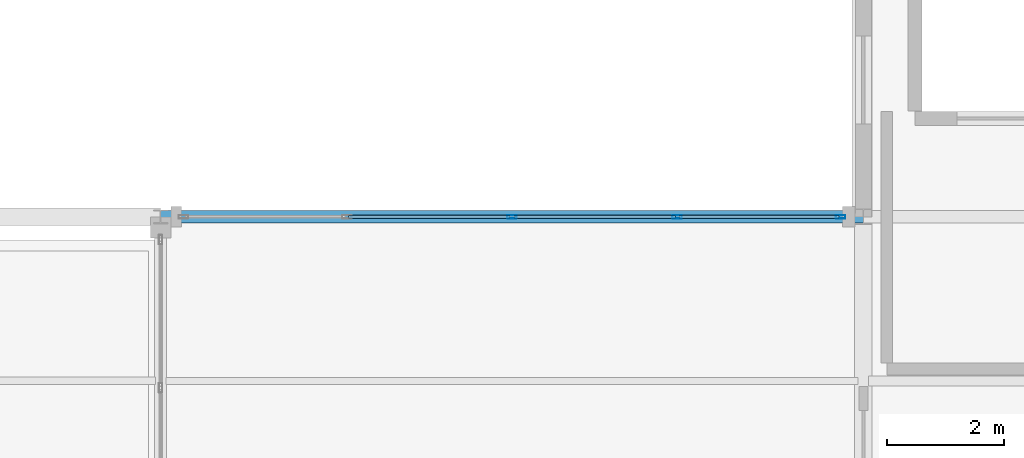
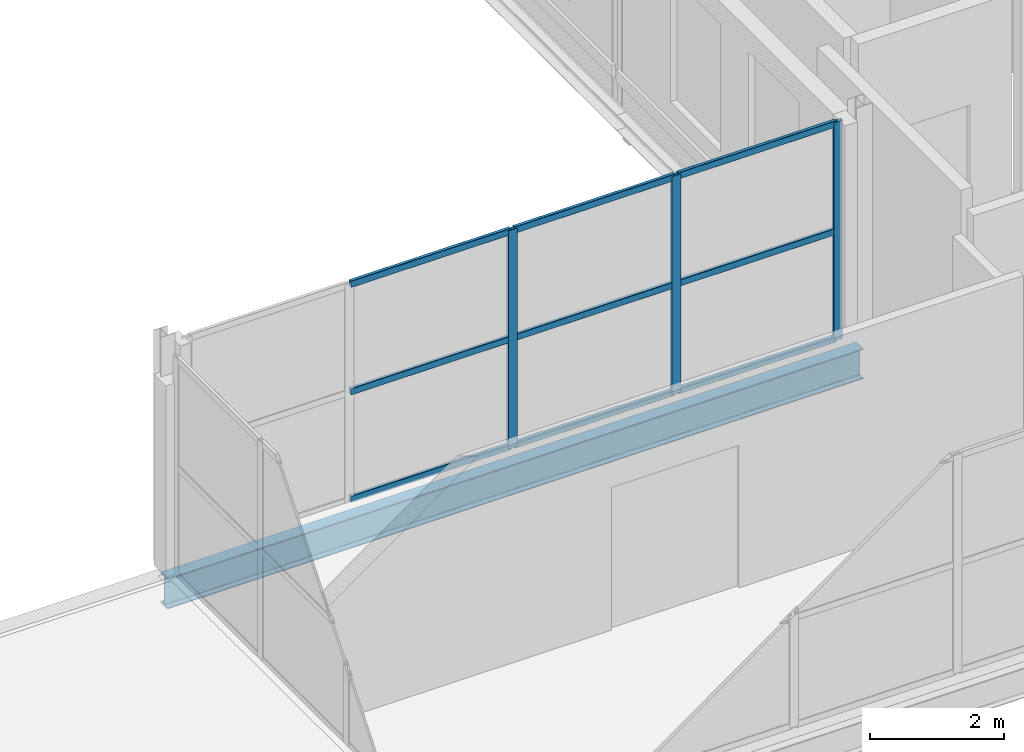
# One storey, part 69 of 93: 12 members, 1 beam, 1 element without a shape of its own.
"""IFC4 building model written with IfcOpenShell, lengths in metres."""

from ifc_helpers import new_model, si_unit, direction, frame, origin, origin_2d, place, context, subcontext, project, spatial, hollow_rectangle, i_section, extrude, material, layer, layer_set, material_profile, profile_set, type_object, element, aggregate, save


model = new_model("IFC4")

# Units and contexts
model_context = context("Model", 3, precision=1e-05, world=origin(), true_north=direction((0.0, 1.0)))
body_context = subcontext(model_context, "Body", "Model", "MODEL_VIEW")
ifc_project = project(units=[si_unit("LENGTHUNIT", "METRE"), si_unit("AREAUNIT", "SQUARE_METRE"), si_unit("VOLUMEUNIT", "CUBIC_METRE"), si_unit("PLANEANGLEUNIT", "RADIAN"), si_unit("MASSUNIT", "GRAM", prefix="KILO")], contexts=[model_context])

# Site, building, storey
site_placement = place(None, origin())
site = spatial("IfcSite", under=ifc_project, at=site_placement, CompositionType="ELEMENT")
building_placement = place(site_placement, origin())
building = spatial("IfcBuilding", under=site, at=building_placement, Name="Vekula Escarpment Museum", CompositionType="ELEMENT")
storey_placement = place(building_placement, frame((0.0, 0.0, 22.199951171875)))
storey = spatial("IfcBuildingStorey", under=building, at=storey_placement, Name="L05", CompositionType="ELEMENT", Elevation=22.199951171875)

# Beam
ifc_material_1 = material(Name="Steel S355", Category="steel")
ifc_material_profile_1 = material_profile(ifc_material_1, i_section(OverallWidth=0.2099609375, OverallDepth=0.550048828125, WebThickness=0.010986328125, FlangeThickness=0.01708984375, FilletRadius=0.02392578125, at=origin_2d()), Name="IPE 550")
ifc_profile_set_1 = profile_set([ifc_material_profile_1], Name="Steel S355")
beam_type = type_object("IfcBeamType", Name="BM-GIRD-IPE550", PredefinedType="BEAM", material=ifc_profile_set_1)
beam_placement = place(storey_placement, frame((155.0, 76.39990234375, -0.52490234375), z_axis=(1.0, 0.0, 0.0), x_axis=(0.0, 1.0, 0.0)))
element("IfcBeam", 1, at=beam_placement, inside=storey, type_object=beam_type, Name="Beam X L05 2025", PredefinedType="BEAM", context=body_context, shape_type="SweptSolid", body=[
    extrude(i_section(OverallWidth=0.2099609375, OverallDepth=0.550048828125, WebThickness=0.010986328125, FlangeThickness=0.01708984375, FilletRadius=0.02392578125, at=origin_2d()), origin(), (0.0, 0.0, 1.0), 12.0),
])

# Curtain wall, members
ifc_material_2 = material(Name="Aluminium thermally broken framing", Category="aluminium")
ifc_layer = layer(ifc_material_2, 0.179931640625)
ifc_layer_set = layer_set([ifc_layer], Name="Aluminium thermally broken framing")
curtain_wall_type = type_object("IfcCurtainWallType", Name="CW-SYS-08", PredefinedType="NOTDEFINED", material=ifc_layer_set)
curtain_wall_placement = place(storey_placement, origin())
curtain_wall = element("IfcCurtainWall", 2, at=curtain_wall_placement, inside=storey, type_object=curtain_wall_type, Name="Curtain Wall CW-L05-188", PredefinedType="NOTDEFINED")
ifc_material_3 = material(Name="Aluminium anodized mullion", Category="aluminium")
ifc_material_profile_2 = material_profile(ifc_material_3, hollow_rectangle(XDim=0.06005859375, YDim=0.159912109375, WallThickness=0.00390625, InnerFilletRadius=0.00390625, OuterFilletRadius=0.008056640625, at=origin_2d()), Name="ALU 160x60x4")
ifc_profile_set_2 = profile_set([ifc_material_profile_2], Name="Aluminium anodized mullion")
member_type_1 = type_object("IfcMemberType", Name="CW-MUL-160", PredefinedType="MULLION", material=ifc_profile_set_2)
member_1_placement = place(storey_placement, frame((166.610107421875, 76.39990234375, 0.0), z_axis=(0.0, 0.0, 1.0), x_axis=(0.0, -1.0, 0.0)))
member_1 = element("IfcMember", 3, at=member_1_placement, type_object=member_type_1, Name="CW-08 mullion 1", PredefinedType="MULLION", context=body_context, shape_type="SweptSolid", body=[
    extrude(hollow_rectangle(XDim=0.06005859375, YDim=0.159912109375, WallThickness=0.00390625, InnerFilletRadius=0.00390625, OuterFilletRadius=0.008056640625, at=origin_2d()), origin(), (0.0, 0.0, 1.0), 3.97998046875),
])
member_2_placement = place(storey_placement, frame((163.820068359375, 76.39990234375, 0.0), z_axis=(0.0, 0.0, 1.0), x_axis=(0.0, -1.0, 0.0)))
member_2 = element("IfcMember", 4, at=member_2_placement, type_object=member_type_1, Name="CW-08 mullion 2", PredefinedType="MULLION", context=body_context, shape_type="SweptSolid", body=[
    extrude(hollow_rectangle(XDim=0.06005859375, YDim=0.159912109375, WallThickness=0.00390625, InnerFilletRadius=0.00390625, OuterFilletRadius=0.008056640625, at=origin_2d()), origin(), (0.0, 0.0, 1.0), 3.97998046875),
])
member_3_placement = place(storey_placement, frame((161.0, 76.39990234375, 0.0), z_axis=(0.0, 0.0, 1.0), x_axis=(0.0, -1.0, 0.0)))
member_3 = element("IfcMember", 5, at=member_3_placement, type_object=member_type_1, Name="CW-08 mullion 3", PredefinedType="MULLION", context=body_context, shape_type="SweptSolid", body=[
    extrude(hollow_rectangle(XDim=0.06005859375, YDim=0.159912109375, WallThickness=0.00390625, InnerFilletRadius=0.00390625, OuterFilletRadius=0.008056640625, at=origin_2d()), origin(), (0.0, 0.0, 1.0), 3.97998046875),
])
ifc_material_4 = material(Name="Aluminium anodized transom", Category="aluminium")
ifc_material_profile_3 = material_profile(ifc_material_4, hollow_rectangle(XDim=0.06005859375, YDim=0.1201171875, WallThickness=0.00390625, InnerFilletRadius=0.00390625, OuterFilletRadius=0.008056640625, at=origin_2d()), Name="ALU 120x60x4")
ifc_profile_set_3 = profile_set([ifc_material_profile_3], Name="Aluminium anodized transom")
member_type_2 = type_object("IfcMemberType", Name="CW-TRN-120", PredefinedType="USERDEFINED", material=ifc_profile_set_3)
member_4_placement = place(storey_placement, frame((166.580078125, 76.39990234375, 0.030029296875), z_axis=(-1.0, 0.0, 0.0), x_axis=(0.0, -1.0, 0.0)))
member_4 = element("IfcMember", 6, at=member_4_placement, type_object=member_type_2, Name="CW-08 transom 1.1", ObjectType="TRANSOM", PredefinedType="USERDEFINED", context=body_context, shape_type="SweptSolid", body=[
    extrude(hollow_rectangle(XDim=0.06005859375, YDim=0.1201171875, WallThickness=0.00390625, InnerFilletRadius=0.00390625, OuterFilletRadius=0.008056640625, at=origin_2d()), origin(), (0.0, 0.0, 1.0), 2.72998046875),
])
member_5_placement = place(storey_placement, frame((166.580078125, 76.39990234375, 1.989990234375), z_axis=(-1.0, 0.0, 0.0), x_axis=(0.0, -1.0, 0.0)))
member_5 = element("IfcMember", 7, at=member_5_placement, type_object=member_type_2, Name="CW-08 transom 1.2", ObjectType="TRANSOM", PredefinedType="USERDEFINED", context=body_context, shape_type="SweptSolid", body=[
    extrude(hollow_rectangle(XDim=0.06005859375, YDim=0.1201171875, WallThickness=0.00390625, InnerFilletRadius=0.00390625, OuterFilletRadius=0.008056640625, at=origin_2d()), origin(), (0.0, 0.0, 1.0), 2.72998046875),
])
member_6_placement = place(storey_placement, frame((166.580078125, 76.39990234375, 3.949951171875), z_axis=(-1.0, 0.0, 0.0), x_axis=(0.0, -1.0, 0.0)))
member_6 = element("IfcMember", 8, at=member_6_placement, type_object=member_type_2, Name="CW-08 transom 1.3", ObjectType="TRANSOM", PredefinedType="USERDEFINED", context=body_context, shape_type="SweptSolid", body=[
    extrude(hollow_rectangle(XDim=0.06005859375, YDim=0.1201171875, WallThickness=0.00390625, InnerFilletRadius=0.00390625, OuterFilletRadius=0.008056640625, at=origin_2d()), origin(), (0.0, 0.0, 1.0), 2.72998046875),
])
member_7_placement = place(storey_placement, frame((163.7900390625, 76.39990234375, 0.030029296875), z_axis=(-1.0, 0.0, 0.0), x_axis=(0.0, -1.0, 0.0)))
member_7 = element("IfcMember", 9, at=member_7_placement, type_object=member_type_2, Name="CW-08 transom 2.1", ObjectType="TRANSOM", PredefinedType="USERDEFINED", context=body_context, shape_type="SweptSolid", body=[
    extrude(hollow_rectangle(XDim=0.06005859375, YDim=0.1201171875, WallThickness=0.00390625, InnerFilletRadius=0.00390625, OuterFilletRadius=0.008056640625, at=origin_2d()), origin(), (0.0, 0.0, 1.0), 2.760009765625),
])
member_8_placement = place(storey_placement, frame((163.7900390625, 76.39990234375, 1.989990234375), z_axis=(-1.0, 0.0, 0.0), x_axis=(0.0, -1.0, 0.0)))
member_8 = element("IfcMember", 10, at=member_8_placement, type_object=member_type_2, Name="CW-08 transom 2.2", ObjectType="TRANSOM", PredefinedType="USERDEFINED", context=body_context, shape_type="SweptSolid", body=[
    extrude(hollow_rectangle(XDim=0.06005859375, YDim=0.1201171875, WallThickness=0.00390625, InnerFilletRadius=0.00390625, OuterFilletRadius=0.008056640625, at=origin_2d()), origin(), (0.0, 0.0, 1.0), 2.760009765625),
])
member_9_placement = place(storey_placement, frame((163.7900390625, 76.39990234375, 3.949951171875), z_axis=(-1.0, 0.0, 0.0), x_axis=(0.0, -1.0, 0.0)))
member_9 = element("IfcMember", 11, at=member_9_placement, type_object=member_type_2, Name="CW-08 transom 2.3", ObjectType="TRANSOM", PredefinedType="USERDEFINED", context=body_context, shape_type="SweptSolid", body=[
    extrude(hollow_rectangle(XDim=0.06005859375, YDim=0.1201171875, WallThickness=0.00390625, InnerFilletRadius=0.00390625, OuterFilletRadius=0.008056640625, at=origin_2d()), origin(), (0.0, 0.0, 1.0), 2.760009765625),
])
member_10_placement = place(storey_placement, frame((160.969970703125, 76.39990234375, 0.030029296875), z_axis=(-1.0, 0.0, 0.0), x_axis=(0.0, -1.0, 0.0)))
member_10 = element("IfcMember", 12, at=member_10_placement, type_object=member_type_2, Name="CW-08 transom 3.1", ObjectType="TRANSOM", PredefinedType="USERDEFINED", context=body_context, shape_type="SweptSolid", body=[
    extrude(hollow_rectangle(XDim=0.06005859375, YDim=0.1201171875, WallThickness=0.00390625, InnerFilletRadius=0.00390625, OuterFilletRadius=0.008056640625, at=origin_2d()), origin(), (0.0, 0.0, 1.0), 2.760009765625),
])
member_11_placement = place(storey_placement, frame((160.969970703125, 76.39990234375, 1.989990234375), z_axis=(-1.0, 0.0, 0.0), x_axis=(0.0, -1.0, 0.0)))
member_11 = element("IfcMember", 13, at=member_11_placement, type_object=member_type_2, Name="CW-08 transom 3.2", ObjectType="TRANSOM", PredefinedType="USERDEFINED", context=body_context, shape_type="SweptSolid", body=[
    extrude(hollow_rectangle(XDim=0.06005859375, YDim=0.1201171875, WallThickness=0.00390625, InnerFilletRadius=0.00390625, OuterFilletRadius=0.008056640625, at=origin_2d()), origin(), (0.0, 0.0, 1.0), 2.760009765625),
])
member_12_placement = place(storey_placement, frame((160.969970703125, 76.39990234375, 3.949951171875), z_axis=(-1.0, 0.0, 0.0), x_axis=(0.0, -1.0, 0.0)))
member_12 = element("IfcMember", 14, at=member_12_placement, type_object=member_type_2, Name="CW-08 transom 3.3", ObjectType="TRANSOM", PredefinedType="USERDEFINED", context=body_context, shape_type="SweptSolid", body=[
    extrude(hollow_rectangle(XDim=0.06005859375, YDim=0.1201171875, WallThickness=0.00390625, InnerFilletRadius=0.00390625, OuterFilletRadius=0.008056640625, at=origin_2d()), origin(), (0.0, 0.0, 1.0), 2.760009765625),
])
aggregate(curtain_wall, [member_1, member_2, member_3, member_4, member_5, member_6, member_7, member_8, member_9, member_10, member_11, member_12])

save(model, "model.ifc")
